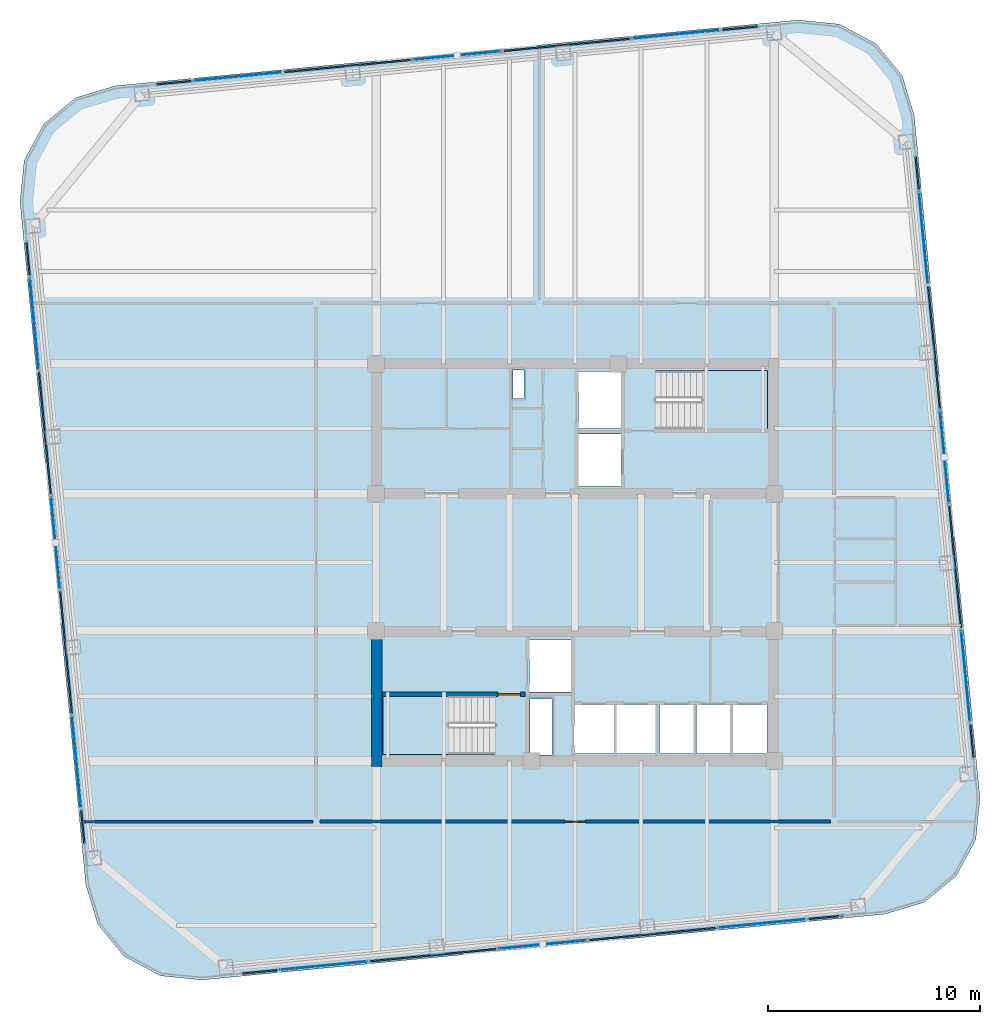
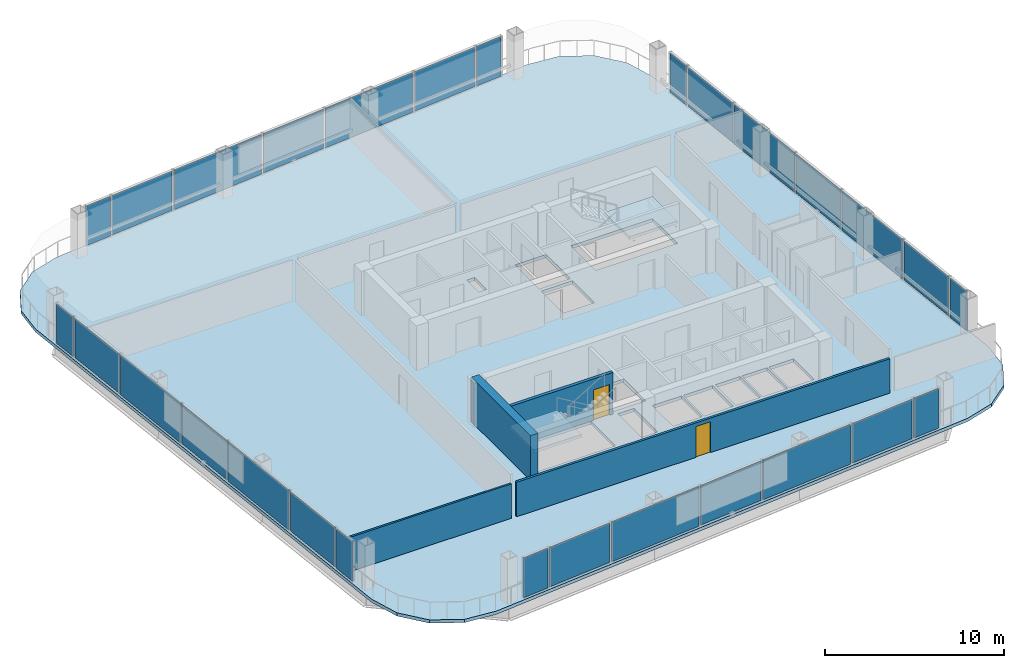
# One storey, part 23 of 28: 28 plates, 4 walls, 3 slabs, 2 doors, 2 openings, 30 elements without a shape of their own.
"""IFC4 building model written with IfcOpenShell, lengths in metres."""

from ifc_helpers import new_model, si_unit, direction, frame, frame_2d, origin, origin_2d, place, context, subcontext, project, spatial, polyline, rectangle, outline, extrude, material, layer, layer_set, type_object, element, fill, aggregate, save


model = new_model("IFC4")

# Units and contexts
model_context = context("Model", 3, precision=1e-05, world=origin(), true_north=direction((0.0, 1.0)))
body_context = subcontext(model_context, "Body", "Model", "MODEL_VIEW")
ifc_project = project(units=[si_unit("LENGTHUNIT", "METRE"), si_unit("AREAUNIT", "SQUARE_METRE"), si_unit("VOLUMEUNIT", "CUBIC_METRE"), si_unit("PLANEANGLEUNIT", "RADIAN"), si_unit("MASSUNIT", "GRAM", prefix="KILO")], contexts=[model_context])

# Site, building, storey
site_placement = place(None, origin())
site = spatial("IfcSite", under=ifc_project, at=site_placement, CompositionType="ELEMENT")
building_placement = place(site_placement, origin())
building = spatial("IfcBuilding", under=site, at=building_placement, Name="Qhalaya Broadcast Tower", CompositionType="ELEMENT")
storey_placement = place(building_placement, frame((0.0, 0.0, 159.199951171875)))
storey = spatial("IfcBuildingStorey", under=building, at=storey_placement, Name="L46", CompositionType="ELEMENT", Elevation=159.199951171875)

# Curtain wall, plate
ifc_material_1 = material(Name="Fired Architectural Terracotta", Category="masonry")
ifc_layer_1 = layer(ifc_material_1, 0.219970703125, Name="Fired Architectural Terracotta")
ifc_layer_set_1 = layer_set([ifc_layer_1], Name="Fired Architectural Terracotta")
curtain_wall_type_1 = type_object("IfcCurtainWallType", Name="Block-Cap Unitised Terracotta Spandrel Wall CW-07", PredefinedType="NOTDEFINED", material=ifc_layer_set_1)
curtain_wall_1_placement = place(storey_placement, origin())
curtain_wall_1 = element("IfcCurtainWall", 1, at=curtain_wall_1_placement, inside=storey, type_object=curtain_wall_type_1, Name="L46 Unitised Curtain Wall L46-CW-S1", PredefinedType="NOTDEFINED")
ifc_layer_2 = layer(ifc_material_1, 0.080078125, Name="Fired Architectural Terracotta")
ifc_layer_set_2 = layer_set([ifc_layer_2], Name="Fired Architectural Terracotta")
plate_type_1 = type_object("IfcPlateType", Name="Insulated Terracotta Spandrel Panel TSP-07", PredefinedType="CURTAIN_PANEL", material=ifc_layer_set_2)
plate_1_placement = place(storey_placement, frame((-14.858642578125, -18.67724609375, 0.0751953125), z_axis=(0.0, 0.0, 1.0), x_axis=(0.995395744559, 0.095850465381, 0.0)))
plate_1 = element("IfcPlate", 2, at=plate_1_placement, type_object=plate_type_1, Name="CW-07 panel 1.1", PredefinedType="CURTAIN_PANEL", context=body_context, shape_type="SweptSolid", body=[
    extrude(rectangle(XDim=1.657958984375, YDim=0.080078125, at=origin_2d()), origin(), (0.0, 0.0, 1.0), 2.679931640625),
])
aggregate(curtain_wall_1, [plate_1])

curtain_wall_2_placement = place(storey_placement, origin())
curtain_wall_2 = element("IfcCurtainWall", 3, at=curtain_wall_2_placement, inside=storey, type_object=curtain_wall_type_1, Name="L46 Unitised Curtain Wall L46-CW-S3", PredefinedType="NOTDEFINED")
plate_2_placement = place(storey_placement, frame((-6.68408203125, -17.89013671875, 0.0751953125), z_axis=(0.0, 0.0, 1.0), x_axis=(0.995395960619, 0.095848221597, 0.0)))
plate_2 = element("IfcPlate", 4, at=plate_2_placement, type_object=plate_type_1, Name="CW-07 panel 1.1", PredefinedType="CURTAIN_PANEL", context=body_context, shape_type="SweptSolid", body=[
    extrude(rectangle(XDim=5.967041015625, YDim=0.080078125, at=origin_2d()), origin(), (0.0, 0.0, 1.0), 2.679931640625),
])
aggregate(curtain_wall_2, [plate_2])

curtain_wall_3_placement = place(storey_placement, origin())
curtain_wall_3 = element("IfcCurtainWall", 5, at=curtain_wall_3_placement, inside=storey, type_object=curtain_wall_type_1, Name="L46 Unitised Curtain Wall L46-CW-S5", PredefinedType="NOTDEFINED")
plate_3_placement = place(storey_placement, frame((3.63525390625, -16.896240234375, 0.0751953125), z_axis=(0.0, 0.0, 1.0), x_axis=(0.995395960619, 0.095848221597, 0.0)))
plate_3 = element("IfcPlate", 6, at=plate_3_placement, type_object=plate_type_1, Name="CW-07 panel 1.1", PredefinedType="CURTAIN_PANEL", context=body_context, shape_type="SweptSolid", body=[
    extrude(rectangle(XDim=5.967041015625, YDim=0.080078125, at=origin_2d()), origin(), (0.0, 0.0, 1.0), 2.679931640625),
])
aggregate(curtain_wall_3, [plate_3])

curtain_wall_4_placement = place(storey_placement, origin())
curtain_wall_4 = element("IfcCurtainWall", 7, at=curtain_wall_4_placement, inside=storey, type_object=curtain_wall_type_1, Name="L46 Unitised Curtain Wall L46-CW-S7", PredefinedType="NOTDEFINED")
plate_4_placement = place(storey_placement, frame((11.81005859375, -16.109130859375, 0.0751953125), z_axis=(0.0, 0.0, 1.0), x_axis=(0.995395236376, 0.095855742651, 0.0)))
plate_4 = element("IfcPlate", 8, at=plate_4_placement, type_object=plate_type_1, Name="CW-07 panel 1.1", PredefinedType="CURTAIN_PANEL", context=body_context, shape_type="SweptSolid", body=[
    extrude(rectangle(XDim=1.657958984375, YDim=0.080078125, at=origin_2d()), origin(), (0.0, 0.0, 1.0), 2.679931640625),
])
aggregate(curtain_wall_4, [plate_4])

curtain_wall_5_placement = place(storey_placement, origin())
curtain_wall_5 = element("IfcCurtainWall", 9, at=curtain_wall_5_placement, inside=storey, type_object=curtain_wall_type_1, Name="L46 Unitised Curtain Wall L46-CW-E1", PredefinedType="NOTDEFINED")
plate_5_placement = place(storey_placement, frame((18.681640625, -7.824951171875, 0.0751953125), z_axis=(0.0, 0.0, 1.0), x_axis=(-0.095860176134, 0.995394809426, 0.0)))
plate_5 = element("IfcPlate", 10, at=plate_5_placement, type_object=plate_type_1, Name="CW-07 panel 1.1", PredefinedType="CURTAIN_PANEL", context=body_context, shape_type="SweptSolid", body=[
    extrude(rectangle(XDim=1.56494140625, YDim=0.080078125, at=origin_2d()), origin(), (0.0, 0.0, 1.0), 2.679931640625),
])
aggregate(curtain_wall_5, [plate_5])

curtain_wall_6_placement = place(storey_placement, origin())
curtain_wall_6 = element("IfcCurtainWall", 11, at=curtain_wall_6_placement, inside=storey, type_object=curtain_wall_type_1, Name="L46 Unitised Curtain Wall L46-CW-E3", PredefinedType="NOTDEFINED")
plate_6_placement = place(storey_placement, frame((17.89013671875, 0.39599609375, 0.0751953125), z_axis=(0.0, 0.0, 1.0), x_axis=(-0.095850920361, 0.995395700747, 0.0)))
plate_6 = element("IfcPlate", 12, at=plate_6_placement, type_object=plate_type_1, Name="CW-07 panel 1.1", PredefinedType="CURTAIN_PANEL", context=body_context, shape_type="SweptSolid", body=[
    extrude(rectangle(XDim=5.779052734375, YDim=0.080078125, at=origin_2d()), origin(), (0.0, 0.0, 1.0), 2.679931640625),
])
aggregate(curtain_wall_6, [plate_6])

curtain_wall_7_placement = place(storey_placement, origin())
curtain_wall_7 = element("IfcCurtainWall", 13, at=curtain_wall_7_placement, inside=storey, type_object=curtain_wall_type_1, Name="L46 Unitised Curtain Wall L46-CW-E5", PredefinedType="NOTDEFINED")
plate_7_placement = place(storey_placement, frame((16.896240234375, 10.71533203125, 0.0751953125), z_axis=(0.0, 0.0, 1.0), x_axis=(-0.095849311193, 0.9953958557, 0.0)))
plate_7 = element("IfcPlate", 14, at=plate_7_placement, type_object=plate_type_1, Name="CW-07 panel 1.1", PredefinedType="CURTAIN_PANEL", context=body_context, shape_type="SweptSolid", body=[
    extrude(rectangle(XDim=5.779052734375, YDim=0.080078125, at=origin_2d()), origin(), (0.0, 0.0, 1.0), 2.679931640625),
])
aggregate(curtain_wall_7, [plate_7])

curtain_wall_8_placement = place(storey_placement, origin())
curtain_wall_8 = element("IfcCurtainWall", 15, at=curtain_wall_8_placement, inside=storey, type_object=curtain_wall_type_1, Name="L46 Unitised Curtain Wall L46-CW-E7", PredefinedType="NOTDEFINED")
plate_8_placement = place(storey_placement, frame((16.104736328125, 18.936279296875, 0.0751953125), z_axis=(0.0, 0.0, 1.0), x_axis=(-0.095860176134, 0.995394809426, 0.0)))
plate_8 = element("IfcPlate", 16, at=plate_8_placement, type_object=plate_type_1, Name="CW-07 panel 1.1", PredefinedType="CURTAIN_PANEL", context=body_context, shape_type="SweptSolid", body=[
    extrude(rectangle(XDim=1.56494140625, YDim=0.080078125, at=origin_2d()), origin(), (0.0, 0.0, 1.0), 2.679931640625),
])
aggregate(curtain_wall_8, [plate_8])

curtain_wall_9_placement = place(storey_placement, origin())
curtain_wall_9 = element("IfcCurtainWall", 17, at=curtain_wall_9_placement, inside=storey, type_object=curtain_wall_type_1, Name="L46 Unitised Curtain Wall L46-CW-N1", PredefinedType="NOTDEFINED")
plate_9_placement = place(storey_placement, frame((7.778564453125, 25.757080078125, 0.0751953125), z_axis=(0.0, 0.0, 1.0), x_axis=(-0.995395744559, -0.095850465381, 0.0)))
plate_9 = element("IfcPlate", 18, at=plate_9_placement, type_object=plate_type_1, Name="CW-07 panel 1.1", PredefinedType="CURTAIN_PANEL", context=body_context, shape_type="SweptSolid", body=[
    extrude(rectangle(XDim=1.657958984375, YDim=0.080078125, at=origin_2d()), origin(), (0.0, 0.0, 1.0), 2.679931640625),
])
aggregate(curtain_wall_9, [plate_9])

curtain_wall_10_placement = place(storey_placement, origin())
curtain_wall_10 = element("IfcCurtainWall", 19, at=curtain_wall_10_placement, inside=storey, type_object=curtain_wall_type_1, Name="L46 Unitised Curtain Wall L46-CW-N3", PredefinedType="NOTDEFINED")
plate_10_placement = place(storey_placement, frame((-0.39599609375, 24.969970703125, 0.0751953125), z_axis=(0.0, 0.0, 1.0), x_axis=(-0.995395960619, -0.095848221597, 0.0)))
plate_10 = element("IfcPlate", 20, at=plate_10_placement, type_object=plate_type_1, Name="CW-07 panel 1.1", PredefinedType="CURTAIN_PANEL", context=body_context, shape_type="SweptSolid", body=[
    extrude(rectangle(XDim=5.967041015625, YDim=0.080078125, at=origin_2d()), origin(), (0.0, 0.0, 1.0), 2.679931640625),
])
aggregate(curtain_wall_10, [plate_10])

curtain_wall_11_placement = place(storey_placement, origin())
curtain_wall_11 = element("IfcCurtainWall", 21, at=curtain_wall_11_placement, inside=storey, type_object=curtain_wall_type_1, Name="L46 Unitised Curtain Wall L46-CW-N5", PredefinedType="NOTDEFINED")
plate_11_placement = place(storey_placement, frame((-10.71533203125, 23.976318359375, 0.0751953125), z_axis=(0.0, 0.0, 1.0), x_axis=(-0.995395960619, -0.095848221597, 0.0)))
plate_11 = element("IfcPlate", 22, at=plate_11_placement, type_object=plate_type_1, Name="CW-07 panel 1.1", PredefinedType="CURTAIN_PANEL", context=body_context, shape_type="SweptSolid", body=[
    extrude(rectangle(XDim=5.967041015625, YDim=0.080078125, at=origin_2d()), origin(), (0.0, 0.0, 1.0), 2.679931640625),
])
aggregate(curtain_wall_11, [plate_11])

curtain_wall_12_placement = place(storey_placement, origin())
curtain_wall_12 = element("IfcCurtainWall", 23, at=curtain_wall_12_placement, inside=storey, type_object=curtain_wall_type_1, Name="L46 Unitised Curtain Wall L46-CW-N7", PredefinedType="NOTDEFINED")
plate_12_placement = place(storey_placement, frame((-18.889892578125, 23.189208984375, 0.0751953125), z_axis=(0.0, 0.0, 1.0), x_axis=(-0.995395236376, -0.095855742651, 0.0)))
plate_12 = element("IfcPlate", 24, at=plate_12_placement, type_object=plate_type_1, Name="CW-07 panel 1.1", PredefinedType="CURTAIN_PANEL", context=body_context, shape_type="SweptSolid", body=[
    extrude(rectangle(XDim=1.657958984375, YDim=0.080078125, at=origin_2d()), origin(), (0.0, 0.0, 1.0), 2.679931640625),
])
aggregate(curtain_wall_12, [plate_12])

curtain_wall_13_placement = place(storey_placement, origin())
curtain_wall_13 = element("IfcCurtainWall", 25, at=curtain_wall_13_placement, inside=storey, type_object=curtain_wall_type_1, Name="L46 Unitised Curtain Wall L46-CW-W1", PredefinedType="NOTDEFINED")
plate_13_placement = place(storey_placement, frame((-25.76171875, 14.905029296875, 0.0751953125), z_axis=(0.0, 0.0, 1.0), x_axis=(0.095860176134, -0.995394809426, 0.0)))
plate_13 = element("IfcPlate", 26, at=plate_13_placement, type_object=plate_type_1, Name="CW-07 panel 1.1", PredefinedType="CURTAIN_PANEL", context=body_context, shape_type="SweptSolid", body=[
    extrude(rectangle(XDim=1.56494140625, YDim=0.080078125, at=origin_2d()), origin(), (0.0, 0.0, 1.0), 2.679931640625),
])
aggregate(curtain_wall_13, [plate_13])

curtain_wall_14_placement = place(storey_placement, origin())
curtain_wall_14 = element("IfcCurtainWall", 27, at=curtain_wall_14_placement, inside=storey, type_object=curtain_wall_type_1, Name="L46 Unitised Curtain Wall L46-CW-W3", PredefinedType="NOTDEFINED")
plate_14_placement = place(storey_placement, frame((-24.969970703125, 6.683837890625, 0.0751953125), z_axis=(0.0, 0.0, 1.0), x_axis=(0.095850920361, -0.995395700747, 0.0)))
plate_14 = element("IfcPlate", 28, at=plate_14_placement, type_object=plate_type_1, Name="CW-07 panel 1.1", PredefinedType="CURTAIN_PANEL", context=body_context, shape_type="SweptSolid", body=[
    extrude(rectangle(XDim=5.779052734375, YDim=0.080078125, at=origin_2d()), origin(), (0.0, 0.0, 1.0), 2.679931640625),
])
aggregate(curtain_wall_14, [plate_14])

curtain_wall_15_placement = place(storey_placement, origin())
curtain_wall_15 = element("IfcCurtainWall", 29, at=curtain_wall_15_placement, inside=storey, type_object=curtain_wall_type_1, Name="L46 Unitised Curtain Wall L46-CW-W5", PredefinedType="NOTDEFINED")
plate_15_placement = place(storey_placement, frame((-23.976318359375, -3.63525390625, 0.0751953125), z_axis=(0.0, 0.0, 1.0), x_axis=(0.095849311193, -0.9953958557, 0.0)))
plate_15 = element("IfcPlate", 30, at=plate_15_placement, type_object=plate_type_1, Name="CW-07 panel 1.1", PredefinedType="CURTAIN_PANEL", context=body_context, shape_type="SweptSolid", body=[
    extrude(rectangle(XDim=5.779052734375, YDim=0.080078125, at=origin_2d()), origin(), (0.0, 0.0, 1.0), 2.679931640625),
])
aggregate(curtain_wall_15, [plate_15])

curtain_wall_16_placement = place(storey_placement, origin())
curtain_wall_16 = element("IfcCurtainWall", 31, at=curtain_wall_16_placement, inside=storey, type_object=curtain_wall_type_1, Name="L46 Unitised Curtain Wall L46-CW-W7", PredefinedType="NOTDEFINED")
plate_16_placement = place(storey_placement, frame((-23.184814453125, -11.856201171875, 0.0751953125), z_axis=(0.0, 0.0, 1.0), x_axis=(0.095860176134, -0.995394809426, 0.0)))
plate_16 = element("IfcPlate", 32, at=plate_16_placement, type_object=plate_type_1, Name="CW-07 panel 1.1", PredefinedType="CURTAIN_PANEL", context=body_context, shape_type="SweptSolid", body=[
    extrude(rectangle(XDim=1.56494140625, YDim=0.080078125, at=origin_2d()), origin(), (0.0, 0.0, 1.0), 2.679931640625),
])
aggregate(curtain_wall_16, [plate_16])

ifc_material_2 = material(Name="Solar-Control Low-E Triple Glazing", Category="glass")
ifc_layer_3 = layer(ifc_material_2, 0.219970703125, Name="Solar-Control Low-E Triple Glazing")
ifc_layer_set_3 = layer_set([ifc_layer_3], Name="Solar-Control Low-E Triple Glazing")
curtain_wall_type_2 = type_object("IfcCurtainWallType", Name="Even-Block 4-Storey Double-Module Curtain Wall CW-03", PredefinedType="NOTDEFINED", material=ifc_layer_set_3)
curtain_wall_17_placement = place(storey_placement, origin())
curtain_wall_17 = element("IfcCurtainWall", 33, at=curtain_wall_17_placement, inside=storey, type_object=curtain_wall_type_2, Name="L46 Unitised Curtain Wall L46-CW-S2", PredefinedType="NOTDEFINED")
ifc_layer_4 = layer(ifc_material_2, 0.035888671875, Name="Solar-Control Low-E Triple Glazing")
ifc_layer_set_4 = layer_set([ifc_layer_4], Name="Solar-Control Low-E Triple Glazing")
plate_type_2 = type_object("IfcPlateType", Name="Solar-Control Curtain Glazing Panel GLP-03", PredefinedType="CURTAIN_PANEL", material=ifc_layer_set_4)
plate_17_placement = place(storey_placement, frame((-11.843505859375, -18.386962890625, 0.0751953125), z_axis=(0.0, 0.0, 1.0), x_axis=(0.995397122956, 0.095836149814, 0.0)))
plate_17 = element("IfcPlate", 34, at=plate_17_placement, type_object=plate_type_2, Name="CW-03 panel 1.1", PredefinedType="CURTAIN_PANEL", context=body_context, shape_type="SweptSolid", body=[
    extrude(rectangle(XDim=4.099853515625, YDim=0.035888671875, at=origin_2d()), origin(), (0.0, 0.0, 1.0), 2.679931640625),
])
aggregate(curtain_wall_17, [plate_17])

curtain_wall_18_placement = place(storey_placement, origin())
curtain_wall_18 = element("IfcCurtainWall", 35, at=curtain_wall_18_placement, inside=storey, type_object=curtain_wall_type_2, Name="L46 Unitised Curtain Wall L46-CW-S4", PredefinedType="NOTDEFINED")
plate_18_placement = place(storey_placement, frame((-1.5244140625, -17.393310546875, 0.0751953125), z_axis=(0.0, 0.0, 1.0), x_axis=(0.995395094286, 0.095857218151, 0.0)))
plate_18 = element("IfcPlate", 36, at=plate_18_placement, type_object=plate_type_2, Name="CW-03 panel 1.1", PredefinedType="CURTAIN_PANEL", context=body_context, shape_type="SweptSolid", body=[
    extrude(rectangle(XDim=4.10009765625, YDim=0.035888671875, at=origin_2d()), origin(), (0.0, 0.0, 1.0), 2.679931640625),
])
aggregate(curtain_wall_18, [plate_18])

curtain_wall_19_placement = place(storey_placement, origin())
curtain_wall_19 = element("IfcCurtainWall", 37, at=curtain_wall_19_placement, inside=storey, type_object=curtain_wall_type_2, Name="L46 Unitised Curtain Wall L46-CW-S6", PredefinedType="NOTDEFINED")
plate_19_placement = place(storey_placement, frame((8.794921875, -16.399658203125, 0.0751953125), z_axis=(0.0, 0.0, 1.0), x_axis=(0.995397339057, 0.095833905262, 0.0)))
plate_19 = element("IfcPlate", 38, at=plate_19_placement, type_object=plate_type_2, Name="CW-03 panel 1.1", PredefinedType="CURTAIN_PANEL", context=body_context, shape_type="SweptSolid", body=[
    extrude(rectangle(XDim=4.10009765625, YDim=0.035888671875, at=origin_2d()), origin(), (0.0, 0.0, 1.0), 2.679931640625),
])
aggregate(curtain_wall_19, [plate_19])

curtain_wall_20_placement = place(storey_placement, origin())
curtain_wall_20 = element("IfcCurtainWall", 39, at=curtain_wall_20_placement, inside=storey, type_object=curtain_wall_type_2, Name="L46 Unitised Curtain Wall L46-CW-E2", PredefinedType="NOTDEFINED")
plate_20_placement = place(storey_placement, frame((18.38671875, -4.76318359375, 0.0751953125), z_axis=(0.0, 0.0, 1.0), x_axis=(-0.095830074124, 0.9953977079, 0.0)))
plate_20 = element("IfcPlate", 40, at=plate_20_placement, type_object=plate_type_2, Name="CW-03 panel 1.1", PredefinedType="CURTAIN_PANEL", context=body_context, shape_type="SweptSolid", body=[
    extrude(rectangle(XDim=4.287109375, YDim=0.035888671875, at=origin_2d()), origin(), (0.0, 0.0, 1.0), 2.679931640625),
])
aggregate(curtain_wall_20, [plate_20])

curtain_wall_21_placement = place(storey_placement, origin())
curtain_wall_21 = element("IfcCurtainWall", 41, at=curtain_wall_21_placement, inside=storey, type_object=curtain_wall_type_2, Name="L46 Unitised Curtain Wall L46-CW-E4", PredefinedType="NOTDEFINED")
plate_21_placement = place(storey_placement, frame((17.393310546875, 5.5556640625, 0.0751953125), z_axis=(0.0, 0.0, 1.0), x_axis=(-0.095855381625, 0.995395271143, 0.0)))
plate_21 = element("IfcPlate", 42, at=plate_21_placement, type_object=plate_type_2, Name="CW-03 panel 1.1", PredefinedType="CURTAIN_PANEL", context=body_context, shape_type="SweptSolid", body=[
    extrude(rectangle(XDim=4.287841796875, YDim=0.035888671875, at=origin_2d()), origin(), (0.0, 0.0, 1.0), 2.679931640625),
])
aggregate(curtain_wall_21, [plate_21])

curtain_wall_22_placement = place(storey_placement, origin())
curtain_wall_22 = element("IfcCurtainWall", 43, at=curtain_wall_22_placement, inside=storey, type_object=curtain_wall_type_2, Name="L46 Unitised Curtain Wall L46-CW-E6", PredefinedType="NOTDEFINED")
plate_22_placement = place(storey_placement, frame((16.399658203125, 15.87451171875, 0.0751953125), z_axis=(0.0, 0.0, 1.0), x_axis=(-0.095832224028, 0.99539750092, 0.0)))
plate_22 = element("IfcPlate", 44, at=plate_22_placement, type_object=plate_type_2, Name="CW-03 panel 1.1", PredefinedType="CURTAIN_PANEL", context=body_context, shape_type="SweptSolid", body=[
    extrude(rectangle(XDim=4.286865234375, YDim=0.035888671875, at=origin_2d()), origin(), (0.0, 0.0, 1.0), 2.679931640625),
])
aggregate(curtain_wall_22, [plate_22])

curtain_wall_23_placement = place(storey_placement, origin())
curtain_wall_23 = element("IfcCurtainWall", 45, at=curtain_wall_23_placement, inside=storey, type_object=curtain_wall_type_2, Name="L46 Unitised Curtain Wall L46-CW-N2", PredefinedType="NOTDEFINED")
plate_23_placement = place(storey_placement, frame((4.763671875, 25.466796875, 0.0751953125), z_axis=(0.0, 0.0, 1.0), x_axis=(-0.995397122956, -0.095836149814, 0.0)))
plate_23 = element("IfcPlate", 46, at=plate_23_placement, type_object=plate_type_2, Name="CW-03 panel 1.1", PredefinedType="CURTAIN_PANEL", context=body_context, shape_type="SweptSolid", body=[
    extrude(rectangle(XDim=4.099853515625, YDim=0.035888671875, at=origin_2d()), origin(), (0.0, 0.0, 1.0), 2.679931640625),
])
aggregate(curtain_wall_23, [plate_23])

curtain_wall_24_placement = place(storey_placement, origin())
curtain_wall_24 = element("IfcCurtainWall", 47, at=curtain_wall_24_placement, inside=storey, type_object=curtain_wall_type_2, Name="L46 Unitised Curtain Wall L46-CW-N4", PredefinedType="NOTDEFINED")
plate_24_placement = place(storey_placement, frame((-5.5556640625, 24.47314453125, 0.0751953125), z_axis=(0.0, 0.0, 1.0), x_axis=(-0.995395094286, -0.095857218151, 0.0)))
plate_24 = element("IfcPlate", 48, at=plate_24_placement, type_object=plate_type_2, Name="CW-03 panel 1.1", PredefinedType="CURTAIN_PANEL", context=body_context, shape_type="SweptSolid", body=[
    extrude(rectangle(XDim=4.10009765625, YDim=0.035888671875, at=origin_2d()), origin(), (0.0, 0.0, 1.0), 2.679931640625),
])
aggregate(curtain_wall_24, [plate_24])

curtain_wall_25_placement = place(storey_placement, origin())
curtain_wall_25 = element("IfcCurtainWall", 49, at=curtain_wall_25_placement, inside=storey, type_object=curtain_wall_type_2, Name="L46 Unitised Curtain Wall L46-CW-N6", PredefinedType="NOTDEFINED")
plate_25_placement = place(storey_placement, frame((-15.875, 23.4794921875, 0.0751953125), z_axis=(0.0, 0.0, 1.0), x_axis=(-0.995397339057, -0.095833905262, 0.0)))
plate_25 = element("IfcPlate", 50, at=plate_25_placement, type_object=plate_type_2, Name="CW-03 panel 1.1", PredefinedType="CURTAIN_PANEL", context=body_context, shape_type="SweptSolid", body=[
    extrude(rectangle(XDim=4.10009765625, YDim=0.035888671875, at=origin_2d()), origin(), (0.0, 0.0, 1.0), 2.679931640625),
])
aggregate(curtain_wall_25, [plate_25])

curtain_wall_26_placement = place(storey_placement, origin())
curtain_wall_26 = element("IfcCurtainWall", 51, at=curtain_wall_26_placement, inside=storey, type_object=curtain_wall_type_2, Name="L46 Unitised Curtain Wall L46-CW-W2", PredefinedType="NOTDEFINED")
plate_26_placement = place(storey_placement, frame((-25.466796875, 11.843017578125, 0.0751953125), z_axis=(0.0, 0.0, 1.0), x_axis=(0.095830074124, -0.9953977079, 0.0)))
plate_26 = element("IfcPlate", 52, at=plate_26_placement, type_object=plate_type_2, Name="CW-03 panel 1.1", PredefinedType="CURTAIN_PANEL", context=body_context, shape_type="SweptSolid", body=[
    extrude(rectangle(XDim=4.287109375, YDim=0.035888671875, at=origin_2d()), origin(), (0.0, 0.0, 1.0), 2.679931640625),
])
aggregate(curtain_wall_26, [plate_26])

curtain_wall_27_placement = place(storey_placement, origin())
curtain_wall_27 = element("IfcCurtainWall", 53, at=curtain_wall_27_placement, inside=storey, type_object=curtain_wall_type_2, Name="L46 Unitised Curtain Wall L46-CW-W4", PredefinedType="NOTDEFINED")
plate_27_placement = place(storey_placement, frame((-24.47314453125, 1.5244140625, 0.0751953125), z_axis=(0.0, 0.0, 1.0), x_axis=(0.095855381625, -0.995395271143, 0.0)))
plate_27 = element("IfcPlate", 54, at=plate_27_placement, type_object=plate_type_2, Name="CW-03 panel 1.1", PredefinedType="CURTAIN_PANEL", context=body_context, shape_type="SweptSolid", body=[
    extrude(rectangle(XDim=4.287841796875, YDim=0.035888671875, at=origin_2d()), origin(), (0.0, 0.0, 1.0), 2.679931640625),
])
aggregate(curtain_wall_27, [plate_27])

curtain_wall_28_placement = place(storey_placement, origin())
curtain_wall_28 = element("IfcCurtainWall", 55, at=curtain_wall_28_placement, inside=storey, type_object=curtain_wall_type_2, Name="L46 Unitised Curtain Wall L46-CW-W6", PredefinedType="NOTDEFINED")
plate_28_placement = place(storey_placement, frame((-23.4794921875, -8.79443359375, 0.0751953125), z_axis=(0.0, 0.0, 1.0), x_axis=(0.095832224028, -0.99539750092, 0.0)))
plate_28 = element("IfcPlate", 56, at=plate_28_placement, type_object=plate_type_2, Name="CW-03 panel 1.1", PredefinedType="CURTAIN_PANEL", context=body_context, shape_type="SweptSolid", body=[
    extrude(rectangle(XDim=4.286865234375, YDim=0.035888671875, at=origin_2d()), origin(), (0.0, 0.0, 1.0), 2.679931640625),
])
aggregate(curtain_wall_28, [plate_28])

# Stair, slab
ifc_material_3 = material(Name="Concrete C40/50", Category="concrete")
stair_type = type_object("IfcStairType", Name="Protected Dogleg Core Stair 3150", PredefinedType="TWO_STRAIGHT_RUN_STAIR", material=ifc_material_3)
stair_1_placement = place(storey_placement, origin())
stair_1 = element("IfcStair", 57, at=stair_1_placement, inside=storey, type_object=stair_type, Name="L46 North Core Exit Stair ST-1", PredefinedType="TWO_STRAIGHT_RUN_STAIR")
ifc_layer_5 = layer(ifc_material_3, 0.199951171875, Name="Concrete C40/50")
ifc_layer_set_5 = layer_set([ifc_layer_5], Name="Concrete C40/50")
slab_type_1 = type_object("IfcSlabType", Name="Stair & Ramp Half-Landing Slab 200", PredefinedType="LANDING", material=ifc_layer_set_5)
slab_1_placement = place(storey_placement, frame((0.0, 0.0, 1.324951171875)))
slab_1 = element("IfcSlab", 58, at=slab_1_placement, type_object=slab_type_1, Name="ST-1 landing 1", PredefinedType="LANDING", context=body_context, shape_type="SweptSolid", body=[
    extrude(outline(polyline([(5.955078125, 6.8798828125), (9.050048828125, 6.8798828125), (9.050048828125, 9.639892578125), (5.955078125, 9.639892578125), (5.955078125, 6.8798828125)])), origin(), (0.0, 0.0, 1.0), 0.2001953125),
])
aggregate(stair_1, [slab_1])

stair_2_placement = place(storey_placement, origin())
stair_2 = element("IfcStair", 59, at=stair_2_placement, inside=storey, type_object=stair_type, Name="L46 South Core Exit Stair ST-2", PredefinedType="TWO_STRAIGHT_RUN_STAIR")
slab_2_placement = place(storey_placement, frame((0.0, 0.0, 1.324951171875)))
slab_2 = element("IfcSlab", 60, at=slab_2_placement, type_object=slab_type_1, Name="ST-2 landing 1", PredefinedType="LANDING", context=body_context, shape_type="SweptSolid", body=[
    extrude(outline(polyline([(-5.955078125, -5.679931640625), (-9.050048828125, -5.679931640625), (-9.050048828125, -8.43994140625), (-5.955078125, -8.43994140625), (-5.955078125, -5.679931640625)])), origin(), (0.0, 0.0, 1.0), 0.2001953125),
])
aggregate(stair_2, [slab_2])

# Slab
ifc_layer_6 = layer(ifc_material_3, 0.219970703125, Name="Concrete C40/50")
ifc_layer_set_6 = layer_set([ifc_layer_6], Name="Concrete C40/50")
slab_type_2 = type_object("IfcSlabType", Name="Tower Composite Floor Slab 220", PredefinedType="FLOOR", material=ifc_layer_set_6)
slab_3_placement = place(storey_placement, frame((0.0, 0.0, -0.219970703125)))
element("IfcSlab", 61, at=slab_3_placement, inside=storey, type_object=slab_type_2, Name="L46 Main Structural Floor Slab", PredefinedType="FLOOR", context=body_context, shape_type="SweptSolid", body=[
    extrude(outline(polyline([(14.562744140625, -15.964599609375), (16.430908203125, -15.402587890625), (17.941650390625, -14.168212890625), (18.864990234375, -12.44970703125), (19.060546875, -10.508544921875), (15.964599609375, 21.642822265625), (15.402587890625, 23.510986328125), (14.168212890625, 25.021728515625), (12.44970703125, 25.945068359375), (10.508544921875, 26.140380859375), (-21.642822265625, 23.044677734375), (-23.510986328125, 22.482421875), (-25.021728515625, 21.248046875), (-25.945068359375, 19.529541015625), (-26.140380859375, 17.58837890625), (-23.044677734375, -14.562744140625), (-22.482421875, -16.430908203125), (-21.248046875, -17.941650390625), (-19.529541015625, -18.864990234375), (-17.58837890625, -19.060546875), (14.562744140625, -15.964599609375)]), holes=[polyline([(3.784912109375, 9.639892578125), (9.050048828125, 9.639892578125), (9.050048828125, 6.8798828125), (3.784912109375, 6.8798828125), (3.784912109375, 9.639892578125)]), polyline([(-3.784912109375, -8.43994140625), (-9.050048828125, -8.43994140625), (-9.050048828125, -5.679931640625), (-3.784912109375, -5.679931640625), (-3.784912109375, -8.43994140625)]), polyline([(0.14990234375, 6.64990234375), (2.14990234375, 6.64990234375), (2.14990234375, 4.199951171875), (0.14990234375, 4.199951171875), (0.14990234375, 6.64990234375)]), polyline([(0.14990234375, 9.60009765625), (2.14990234375, 9.60009765625), (2.14990234375, 6.89990234375), (0.14990234375, 6.89990234375), (0.14990234375, 9.60009765625)]), polyline([(-2.14990234375, -3.050048828125), (-0.14990234375, -3.050048828125), (-0.14990234375, -5.5), (-2.14990234375, -5.5), (-2.14990234375, -3.050048828125)]), polyline([(-0.050048828125, -6.10009765625), (1.830078125, -6.10009765625), (1.830078125, -8.39990234375), (-0.050048828125, -8.39990234375), (-0.050048828125, -6.10009765625)]), polyline([(1.949951171875, -6.10009765625), (3.830078125, -6.10009765625), (3.830078125, -8.39990234375), (1.949951171875, -8.39990234375), (1.949951171875, -6.10009765625)]), polyline([(4.0, -6.10009765625), (5.60009765625, -6.10009765625), (5.60009765625, -8.39990234375), (4.0, -8.39990234375), (4.0, -6.10009765625)]), polyline([(5.719970703125, -6.10009765625), (7.320068359375, -6.10009765625), (7.320068359375, -8.39990234375), (5.719970703125, -8.39990234375), (5.719970703125, -6.10009765625)]), polyline([(7.43994140625, -6.10009765625), (9.0400390625, -6.10009765625), (9.0400390625, -8.39990234375), (7.43994140625, -8.39990234375), (7.43994140625, -6.10009765625)]), polyline([(-2.919921875, 9.659912109375), (-2.419921875, 9.659912109375), (-2.419921875, 8.320068359375), (-2.919921875, 8.320068359375), (-2.919921875, 9.659912109375)]), polyline([(-2.1201171875, -5.820068359375), (-1.080078125, -5.820068359375), (-1.080078125, -8.4599609375), (-2.1201171875, -8.4599609375), (-2.1201171875, -5.820068359375)])]), origin(), (0.0, 0.0, 1.0), 0.219970703125),
])

# Wall, opening, door
ifc_material_4 = material(Name="Gypsum Acoustic Partition")
ifc_layer_7 = layer(ifc_material_4, 0.14990234375, Name="Gypsum Acoustic Partition")
ifc_layer_set_7 = layer_set([ifc_layer_7], Name="Gypsum Acoustic Partition")
wall_type_1 = type_object("IfcWallType", Name="Corridor & Tenancy Acoustic Partition 150", PredefinedType="PARTITIONING", material=ifc_layer_set_7)
wall_1_placement = place(storey_placement, frame((-12.02001953125, -11.60009765625, 0.0), z_axis=(0.0, 0.0, 1.0), x_axis=(1.0, 0.0, 0.0)))
wall_1 = element("IfcWall", 62, at=wall_1_placement, inside=storey, type_object=wall_type_1, Name="L46 Partition Wall W-COR-03", PredefinedType="PARTITIONING", context=body_context, shape_type="SweptSolid", body=[
    extrude(rectangle(XDim=24.0400390625, YDim=0.14990234375, at=frame_2d((12.02001953125, 0.0))), origin(), (0.0, 0.0, 1.0), 2.34716796875),
])
opening_1_placement = place(wall_1_placement, frame((11.544921875, 0.0, 0.0)))
opening_1 = element("IfcOpeningElement", 63, at=opening_1_placement, cuts=wall_1, Name="Opening D10", PredefinedType="OPENING", context=body_context, shape_type="SweptSolid", body=[
    extrude(rectangle(XDim=0.949951171875, YDim=2.10009765625, at=frame_2d((0.47509765625, 1.050048828125))), frame((0.0, 0.0869140625, 0.0), z_axis=(0.0, -1.0, 0.0), x_axis=(1.0, 0.0, 0.0)), (0.0, 0.0, 1.0), 0.173828125),
])
ifc_material_5 = material(Name="Timber Veneer Acoustic Door", Category="wood")
door_type_1 = type_object("IfcDoorType", Name="Cellular Office & Edit Booth Door D10", OperationType="NOTDEFINED", PredefinedType="DOOR", material=ifc_material_5)
door_1_placement = place(opening_1_placement, origin())
door_1 = element("IfcDoor", 64, at=door_1_placement, inside=storey, type_object=door_type_1, Name="L46 Door D-RM03", OperationType="SINGLE_SWING_RIGHT", OverallHeight=2.10009765625, OverallWidth=0.949951171875, PredefinedType="DOOR", context=body_context, shape_type="SweptSolid", body=[
    extrude(rectangle(XDim=0.949951171875, YDim=2.10009765625, at=frame_2d((0.47509765625, 1.050048828125))), frame((0.0, 0.02490234375, 0.0), z_axis=(0.0, -1.0, 0.0), x_axis=(1.0, 0.0, 0.0)), (0.0, 0.0, 1.0), 0.050048828125),
])
fill(opening_1, door_1)

ifc_material_6 = material(Name="Concrete C50/60", Category="concrete")
ifc_layer_8 = layer(ifc_material_6, 0.199951171875, Name="Concrete C50/60")
ifc_layer_set_8 = layer_set([ifc_layer_8], Name="Concrete C50/60")
wall_type_2 = type_object("IfcWallType", Name="Load-Bearing Stair Shaft Wall 200", PredefinedType="SHEAR", material=ifc_layer_set_8)
wall_2_placement = place(storey_placement, frame((-9.080078125, -5.60498046875, 0.0), z_axis=(0.0, 0.0, 1.0), x_axis=(1.0, 0.0, 0.0)))
wall_2 = element("IfcWall", 65, at=wall_2_placement, inside=storey, type_object=wall_type_2, Name="L46 Stair Core Shear Wall SCW-ST2", PredefinedType="SHEAR", context=body_context, shape_type="SweptSolid", body=[
    extrude(rectangle(XDim=6.719970703125, YDim=0.199951171875, at=frame_2d((3.35986328125, 0.0))), origin(), (0.0, 0.0, 1.0), 2.830078125),
])
opening_2_placement = place(wall_2_placement, frame((5.449951171875, 0.0, 0.0)))
opening_2 = element("IfcOpeningElement", 66, at=opening_2_placement, cuts=wall_2, Name="Opening D03", PredefinedType="OPENING", context=body_context, shape_type="SweptSolid", body=[
    extrude(rectangle(XDim=1.050048828125, YDim=2.080078125, at=frame_2d((0.52490234375, 1.0400390625))), frame((0.0, 0.112060546875, 0.0), z_axis=(0.0, -1.0, 0.0), x_axis=(1.0, 0.0, 0.0)), (0.0, 0.0, 1.0), 0.223876953125),
])
ifc_material_7 = material(Name="Fire-Rated Steel Door", Category="steel")
door_type_2 = type_object("IfcDoorType", Name="Core Stair Protected Fire Door D03", OperationType="NOTDEFINED", PredefinedType="DOOR", material=ifc_material_7)
door_2_placement = place(opening_2_placement, origin())
door_2 = element("IfcDoor", 67, at=door_2_placement, inside=storey, type_object=door_type_2, Name="L46 Door D-SST2", OperationType="SINGLE_SWING_RIGHT", OverallHeight=2.080078125, OverallWidth=1.050048828125, PredefinedType="DOOR", context=body_context, shape_type="SweptSolid", body=[
    extrude(rectangle(XDim=1.050048828125, YDim=2.080078125, at=frame_2d((0.52490234375, 1.0400390625))), frame((0.0, 0.02490234375, 0.0), z_axis=(0.0, -1.0, 0.0), x_axis=(1.0, 0.0, 0.0)), (0.0, 0.0, 1.0), 0.050048828125),
])
fill(opening_2, door_2)

# Walls
ifc_layer_9 = layer(ifc_material_6, 0.5, Name="Concrete C50/60")
ifc_layer_set_9 = layer_set([ifc_layer_9], Name="Concrete C50/60")
wall_type_3 = type_object("IfcWallType", Name="Mid Split-Core Shear Wall 500", PredefinedType="SHEAR", material=ifc_layer_set_9)
wall_3_placement = place(storey_placement, frame((-9.35009765625, -9.0, 0.0), z_axis=(0.0, 0.0, 1.0), x_axis=(0.0, 1.0, 0.0)))
element("IfcWall", 68, at=wall_3_placement, inside=storey, type_object=wall_type_3, Name="L46 Split-Core Shear Wall CW-SW", PredefinedType="SHEAR", context=body_context, shape_type="SweptSolid", body=[
    extrude(rectangle(XDim=6.60009765625, YDim=0.5, at=frame_2d((3.300048828125, 0.0))), origin(), (0.0, 0.0, 1.0), 3.050048828125),
])
ifc_layer_10 = layer(ifc_material_4, 0.1201171875, Name="Gypsum Acoustic Partition")
ifc_layer_set_10 = layer_set([ifc_layer_10], Name="Gypsum Acoustic Partition")
wall_type_4 = type_object("IfcWallType", Name="Office, Booth & Sanitary Partition 120", PredefinedType="PARTITIONING", material=ifc_layer_set_10)
wall_4_placement = place(storey_placement, frame((-23.20947265625, -11.60009765625, 0.0), z_axis=(0.0, 0.0, 1.0), x_axis=(1.0, 0.0, 0.0)))
element("IfcWall", 69, at=wall_4_placement, inside=storey, type_object=wall_type_4, Name="L46 Partition Wall W-BNDW2", PredefinedType="PARTITIONING", context=body_context, shape_type="SweptSolid", body=[
    extrude(rectangle(XDim=10.869384765625, YDim=0.1201171875, at=frame_2d((5.4345703125, 0.0))), origin(), (0.0, 0.0, 1.0), 2.34716796875),
])

save(model, "model.ifc")
